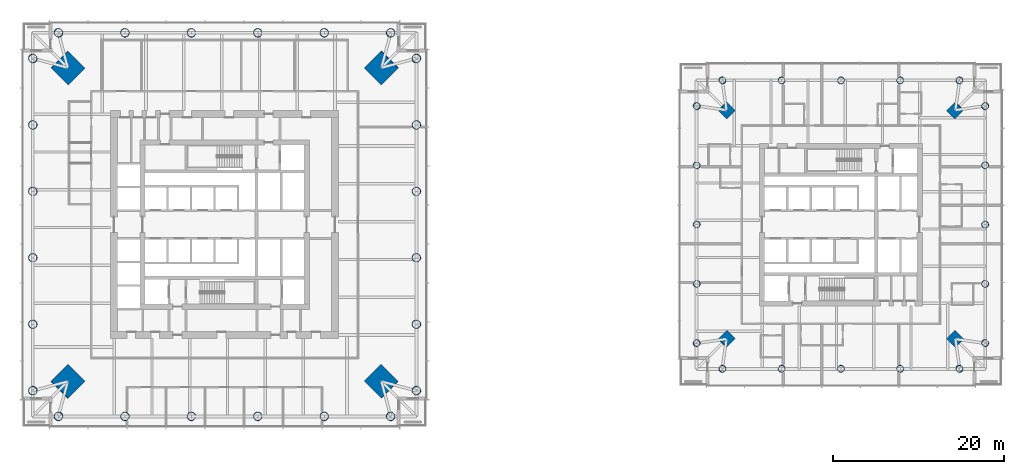
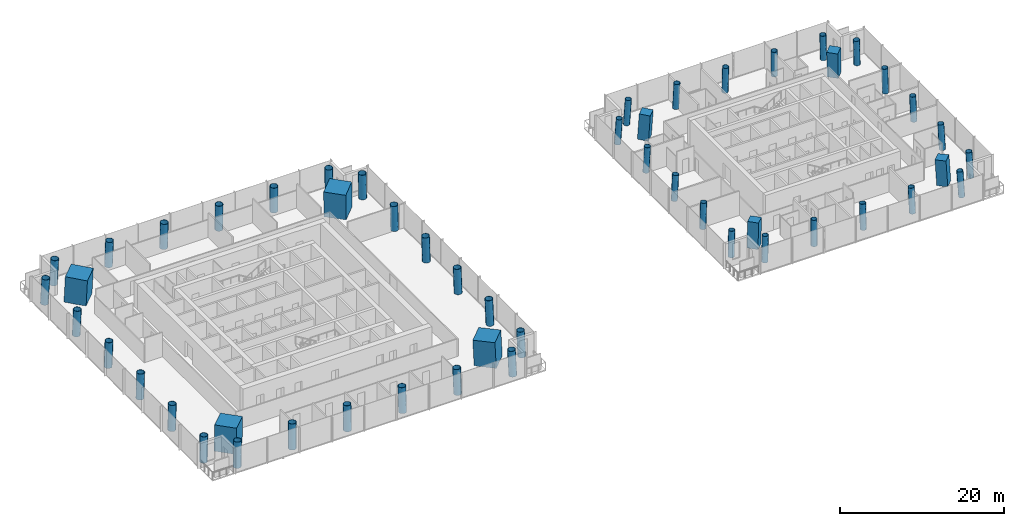
# One storey, part 1 of 18: 52 columns.
"""IFC4 building model written with IfcOpenShell, lengths in metres."""

from ifc_helpers import new_model, si_unit, direction, frame, origin, origin_2d, place, context, subcontext, project, spatial, rectangle, hollow_circle, extrude, material, material_profile, profile_set, type_object, element, save


model = new_model("IFC4")

# Units and contexts
model_context = context("Model", 3, precision=1e-05, world=origin(), true_north=direction((0.0, 1.0)))
body_context = subcontext(model_context, "Body", "Model", "MODEL_VIEW")
ifc_project = project(units=[si_unit("LENGTHUNIT", "METRE"), si_unit("AREAUNIT", "SQUARE_METRE"), si_unit("VOLUMEUNIT", "CUBIC_METRE"), si_unit("PLANEANGLEUNIT", "RADIAN"), si_unit("MASSUNIT", "GRAM", prefix="KILO")], contexts=[model_context])

# Site, building, storey
site_placement = place(None, origin())
site = spatial("IfcSite", under=ifc_project, at=site_placement, CompositionType="ELEMENT")
building_placement = place(site_placement, origin())
building = spatial("IfcBuilding", under=site, at=building_placement, Name="Ostroluk Exchange", CompositionType="ELEMENT")
storey_placement = place(building_placement, frame((0.0, 0.0, 70.39990234375)))
storey = spatial("IfcBuildingStorey", under=building, at=storey_placement, Name="L17", CompositionType="ELEMENT", Elevation=70.39990234375)

# Columns
ifc_material_1 = material(Name="Concrete C50/60", Category="concrete")
ifc_material_profile_1 = material_profile(ifc_material_1, rectangle(XDim=1.39990234375, YDim=1.39990234375, at=origin_2d()), Name="RC 1400x1400")
ifc_profile_set_1 = profile_set([ifc_material_profile_1], Name="Concrete C50/60")
column_type_1 = type_object("IfcColumnType", Name="Mega column RC 1400x1400", PredefinedType="COLUMN", material=ifc_profile_set_1)
for number, where, z_axis, x_axis, name in (
    (1, (130.37060546875, 59.37060546875, 0.0), (-0.043029647111, -0.043029647111, 0.998146732169), (0.707106781187, -0.707106781187, 0.0), "T2 mega column NE"),
    (2, (103.62939453125, 59.37060546875, 0.0), (0.043029647111, -0.043029647111, 0.998146732169), (0.707106781187, 0.707106781187, 0.0), "T2 mega column NW"),
    (3, (103.62939453125, 32.62939453125, 0.0), (0.043029647111, 0.043029647111, 0.998146732169), (-0.707106781187, 0.707106781187, 0.0), "T2 mega column SW"),
    (4, (130.37060546875, 32.62939453125, 0.0), (-0.043029647111, 0.043029647111, 0.998146732169), (-0.707106781187, -0.707106781187, 0.0), "T2 mega column SE"),
):
    element("IfcColumn", number, at=place(storey_placement, frame(where, z_axis=z_axis, x_axis=x_axis)), inside=storey, type_object=column_type_1, Name=name, PredefinedType="COLUMN", context=body_context, shape_type="SweptSolid", body=[
        extrude(rectangle(XDim=1.39990234375, YDim=1.39990234375, at=origin_2d()), origin(), (0.0, 0.0, 1.0), 3.80712890625),
    ])
ifc_material_2 = material(Name="Concrete C50/60", Category="concrete")
ifc_material_profile_2 = material_profile(ifc_material_2, rectangle(XDim=2.800048828125, YDim=2.800048828125, at=origin_2d()), Name="RC 2800x2800")
ifc_profile_set_2 = profile_set([ifc_material_profile_2], Name="Concrete C50/60")
column_type_2 = type_object("IfcColumnType", Name="Mega column RC 2800x2800", PredefinedType="COLUMN", material=ifc_profile_set_2)
for number, where, z_axis, x_axis, name in (
    (5, (63.321533203125, 64.321533203125, 0.0), (-0.031962158256, -0.031962158256, 0.998977898093), (0.707106781187, -0.707106781187, 0.0), "T1 mega column NE"),
    (6, (26.678466796875, 64.321533203125, 0.0), (0.031962158256, -0.031962158256, 0.998977898093), (0.707106781187, 0.707106781187, 0.0), "T1 mega column NW"),
    (7, (26.678466796875, 27.678466796875, 0.0), (0.031962158256, 0.031962158256, 0.998977898093), (-0.707106781187, 0.707106781187, 0.0), "T1 mega column SW"),
    (8, (63.321533203125, 27.678466796875, 0.0), (-0.031962158256, 0.031962158256, 0.998977898093), (-0.707106781187, -0.707106781187, 0.0), "T1 mega column SE"),
):
    element("IfcColumn", number, at=place(storey_placement, frame(where, z_axis=z_axis, x_axis=x_axis)), inside=storey, type_object=column_type_2, Name=name, PredefinedType="COLUMN", context=body_context, shape_type="SweptSolid", body=[
        extrude(rectangle(XDim=2.800048828125, YDim=2.800048828125, at=origin_2d()), origin(), (0.0, 0.0, 1.0), 3.803955078125),
    ])
ifc_material_3 = material(Name="Steel S460", Category="steel")
ifc_material_profile_3 = material_profile(ifc_material_3, hollow_circle(Radius=0.508056640625, WallThickness=0.0400390625, at=origin_2d()), Name="CHS 1016x40")
ifc_profile_set_3 = profile_set([ifc_material_profile_3], Name="Steel S460")
column_type_3 = type_object("IfcColumnType", Name="Perimeter column CHS 1016x40", PredefinedType="COLUMN", material=ifc_profile_set_3)
for number, where, z_axis, x_axis, name in (
    (9, (67.42138671875, 26.57861328125, 0.0), (-0.031898107953, 0.031898107953, 0.998981992539), (-0.707106781187, -0.707106781187, 0.0), "T1 east face column E0"),
    (10, (67.42138671875, 65.42138671875, 0.0), (-0.031898107953, -0.031898107953, 0.998981992539), (0.707106781187, -0.707106781187, 0.0), "T1 east face column E1"),
):
    element("IfcColumn", number, at=place(storey_placement, frame(where, z_axis=z_axis, x_axis=x_axis)), inside=storey, type_object=column_type_3, Name=name, PredefinedType="COLUMN", context=body_context, shape_type="SweptSolid", body=[
        extrude(hollow_circle(Radius=0.508056640625, WallThickness=0.0400390625, at=origin_2d()), origin(), (0.0, 0.0, 1.0), 3.803955078125),
    ])
column_1_placement = place(storey_placement, frame((67.42138671875, 34.34716796875, 0.0), z_axis=(-0.031908506785, 0.019132263625, 0.999307662176), x_axis=(-0.514241961696, -0.857645150882, 0.0)))
element("IfcColumn", 11, at=column_1_placement, inside=storey, type_object=column_type_3, Name="T1 east face column I1", PredefinedType="COLUMN", context=body_context, shape_type="SweptSolid", body=[
    extrude(hollow_circle(Radius=0.508056640625, WallThickness=0.0400390625, at=origin_2d()), origin(), (0.0, 0.0, 1.0), 3.802734375),
])
for number, where, z_axis, x_axis, name in (
    (12, (67.42138671875, 42.11572265625, 0.0), (-0.031913703469, 0.006357055621, 0.999470411455), (-0.195357113251, -0.980732174603, 0.0), "T1 east face column I2"),
    (13, (67.42138671875, 49.88427734375, 0.0), (-0.031913703469, -0.006357055621, 0.999470411455), (0.195357113251, -0.980732174603, 0.0), "T1 east face column I3"),
):
    element("IfcColumn", number, at=place(storey_placement, frame(where, z_axis=z_axis, x_axis=x_axis)), inside=storey, type_object=column_type_3, Name=name, PredefinedType="COLUMN", context=body_context, shape_type="SweptSolid", body=[
        extrude(hollow_circle(Radius=0.508056640625, WallThickness=0.0400390625, at=origin_2d()), origin(), (0.0, 0.0, 1.0), 3.802001953125),
    ])
column_2_placement = place(storey_placement, frame((67.42138671875, 57.65283203125, 0.0), z_axis=(-0.031908506785, -0.019132263625, 0.999307662176), x_axis=(0.514241961696, -0.857645150882, 0.0)))
element("IfcColumn", 14, at=column_2_placement, inside=storey, type_object=column_type_3, Name="T1 east face column I4", PredefinedType="COLUMN", context=body_context, shape_type="SweptSolid", body=[
    extrude(hollow_circle(Radius=0.508056640625, WallThickness=0.0400390625, at=origin_2d()), origin(), (0.0, 0.0, 1.0), 3.802734375),
])
for number, where, z_axis, x_axis, name in (
    (15, (64.42138671875, 68.42138671875, 0.0), (-0.031898107953, -0.031898107953, 0.998981992539), (0.707106781187, -0.707106781187, 0.0), "T1 north face column E0"),
    (16, (25.57861328125, 68.42138671875, 0.0), (0.031898107953, -0.031898107953, 0.998981992539), (0.707106781187, 0.707106781187, 0.0), "T1 north face column E1"),
):
    element("IfcColumn", number, at=place(storey_placement, frame(where, z_axis=z_axis, x_axis=x_axis)), inside=storey, type_object=column_type_3, Name=name, PredefinedType="COLUMN", context=body_context, shape_type="SweptSolid", body=[
        extrude(hollow_circle(Radius=0.508056640625, WallThickness=0.0400390625, at=origin_2d()), origin(), (0.0, 0.0, 1.0), 3.803955078125),
    ])
column_3_placement = place(storey_placement, frame((56.65283203125, 68.42138671875, 0.0), z_axis=(-0.019132263625, -0.031908506785, 0.999307662176), x_axis=(0.857645150882, -0.514241961696, 0.0)))
element("IfcColumn", 17, at=column_3_placement, inside=storey, type_object=column_type_3, Name="T1 north face column I1", PredefinedType="COLUMN", context=body_context, shape_type="SweptSolid", body=[
    extrude(hollow_circle(Radius=0.508056640625, WallThickness=0.0400390625, at=origin_2d()), origin(), (0.0, 0.0, 1.0), 3.802734375),
])
for number, where, z_axis, x_axis, name in (
    (18, (48.88427734375, 68.42138671875, 0.0), (-0.006357055621, -0.031913703469, 0.999470411455), (0.980732174603, -0.195357113251, 0.0), "T1 north face column I2"),
    (19, (41.11572265625, 68.42138671875, 0.0), (0.006357055621, -0.031913703469, 0.999470411455), (0.980732174603, 0.195357113251, 0.0), "T1 north face column I3"),
):
    element("IfcColumn", number, at=place(storey_placement, frame(where, z_axis=z_axis, x_axis=x_axis)), inside=storey, type_object=column_type_3, Name=name, PredefinedType="COLUMN", context=body_context, shape_type="SweptSolid", body=[
        extrude(hollow_circle(Radius=0.508056640625, WallThickness=0.0400390625, at=origin_2d()), origin(), (0.0, 0.0, 1.0), 3.802001953125),
    ])
column_4_placement = place(storey_placement, frame((33.34716796875, 68.42138671875, 0.0), z_axis=(0.019132263625, -0.031908506785, 0.999307662176), x_axis=(0.857645150882, 0.514241961696, 0.0)))
element("IfcColumn", 20, at=column_4_placement, inside=storey, type_object=column_type_3, Name="T1 north face column I4", PredefinedType="COLUMN", context=body_context, shape_type="SweptSolid", body=[
    extrude(hollow_circle(Radius=0.508056640625, WallThickness=0.0400390625, at=origin_2d()), origin(), (0.0, 0.0, 1.0), 3.802734375),
])
for number, where, z_axis, x_axis, name in (
    (21, (22.57861328125, 65.42138671875, 0.0), (0.031898107953, -0.031898107953, 0.998981992539), (0.707106781187, 0.707106781187, 0.0), "T1 west face column E0"),
    (22, (22.57861328125, 26.57861328125, 0.0), (0.031898107953, 0.031898107953, 0.998981992539), (-0.707106781187, 0.707106781187, 0.0), "T1 west face column E1"),
):
    element("IfcColumn", number, at=place(storey_placement, frame(where, z_axis=z_axis, x_axis=x_axis)), inside=storey, type_object=column_type_3, Name=name, PredefinedType="COLUMN", context=body_context, shape_type="SweptSolid", body=[
        extrude(hollow_circle(Radius=0.508056640625, WallThickness=0.0400390625, at=origin_2d()), origin(), (0.0, 0.0, 1.0), 3.803955078125),
    ])
column_5_placement = place(storey_placement, frame((22.57861328125, 57.65283203125, 0.0), z_axis=(0.031908506785, -0.019132263625, 0.999307662176), x_axis=(0.514241961696, 0.857645150882, 0.0)))
element("IfcColumn", 23, at=column_5_placement, inside=storey, type_object=column_type_3, Name="T1 west face column I1", PredefinedType="COLUMN", context=body_context, shape_type="SweptSolid", body=[
    extrude(hollow_circle(Radius=0.508056640625, WallThickness=0.0400390625, at=origin_2d()), origin(), (0.0, 0.0, 1.0), 3.802734375),
])
for number, where, z_axis, x_axis, name in (
    (24, (22.57861328125, 49.88427734375, 0.0), (0.031913703469, -0.006357055621, 0.999470411455), (0.195357113251, 0.980732174603, 0.0), "T1 west face column I2"),
    (25, (22.57861328125, 42.11572265625, 0.0), (0.031913703469, 0.006357055621, 0.999470411455), (-0.195357113251, 0.980732174603, 0.0), "T1 west face column I3"),
):
    element("IfcColumn", number, at=place(storey_placement, frame(where, z_axis=z_axis, x_axis=x_axis)), inside=storey, type_object=column_type_3, Name=name, PredefinedType="COLUMN", context=body_context, shape_type="SweptSolid", body=[
        extrude(hollow_circle(Radius=0.508056640625, WallThickness=0.0400390625, at=origin_2d()), origin(), (0.0, 0.0, 1.0), 3.802001953125),
    ])
column_6_placement = place(storey_placement, frame((22.57861328125, 34.34716796875, 0.0), z_axis=(0.031908506785, 0.019132263625, 0.999307662176), x_axis=(-0.514241961696, 0.857645150882, 0.0)))
element("IfcColumn", 26, at=column_6_placement, inside=storey, type_object=column_type_3, Name="T1 west face column I4", PredefinedType="COLUMN", context=body_context, shape_type="SweptSolid", body=[
    extrude(hollow_circle(Radius=0.508056640625, WallThickness=0.0400390625, at=origin_2d()), origin(), (0.0, 0.0, 1.0), 3.802734375),
])
for number, where, z_axis, x_axis, name in (
    (27, (25.57861328125, 23.57861328125, 0.0), (0.031898107953, 0.031898107953, 0.998981992539), (-0.707106781187, 0.707106781187, 0.0), "T1 south face column E0"),
    (28, (64.42138671875, 23.57861328125, 0.0), (-0.031898107953, 0.031898107953, 0.998981992539), (-0.707106781187, -0.707106781187, 0.0), "T1 south face column E1"),
):
    element("IfcColumn", number, at=place(storey_placement, frame(where, z_axis=z_axis, x_axis=x_axis)), inside=storey, type_object=column_type_3, Name=name, PredefinedType="COLUMN", context=body_context, shape_type="SweptSolid", body=[
        extrude(hollow_circle(Radius=0.508056640625, WallThickness=0.0400390625, at=origin_2d()), origin(), (0.0, 0.0, 1.0), 3.803955078125),
    ])
column_7_placement = place(storey_placement, frame((33.34716796875, 23.57861328125, 0.0), z_axis=(0.019132263625, 0.031908506785, 0.999307662176), x_axis=(-0.857645150882, 0.514241961696, 0.0)))
element("IfcColumn", 29, at=column_7_placement, inside=storey, type_object=column_type_3, Name="T1 south face column I1", PredefinedType="COLUMN", context=body_context, shape_type="SweptSolid", body=[
    extrude(hollow_circle(Radius=0.508056640625, WallThickness=0.0400390625, at=origin_2d()), origin(), (0.0, 0.0, 1.0), 3.802734375),
])
for number, where, z_axis, x_axis, name in (
    (30, (41.11572265625, 23.57861328125, 0.0), (0.006357055621, 0.031913703469, 0.999470411455), (-0.980732174603, 0.195357113251, 0.0), "T1 south face column I2"),
    (31, (48.88427734375, 23.57861328125, 0.0), (-0.006357055621, 0.031913703469, 0.999470411455), (-0.980732174603, -0.195357113251, 0.0), "T1 south face column I3"),
):
    element("IfcColumn", number, at=place(storey_placement, frame(where, z_axis=z_axis, x_axis=x_axis)), inside=storey, type_object=column_type_3, Name=name, PredefinedType="COLUMN", context=body_context, shape_type="SweptSolid", body=[
        extrude(hollow_circle(Radius=0.508056640625, WallThickness=0.0400390625, at=origin_2d()), origin(), (0.0, 0.0, 1.0), 3.802001953125),
    ])
column_8_placement = place(storey_placement, frame((56.65283203125, 23.57861328125, 0.0), z_axis=(-0.019132263625, 0.031908506785, 0.999307662176), x_axis=(-0.857645150882, -0.514241961696, 0.0)))
element("IfcColumn", 32, at=column_8_placement, inside=storey, type_object=column_type_3, Name="T1 south face column I4", PredefinedType="COLUMN", context=body_context, shape_type="SweptSolid", body=[
    extrude(hollow_circle(Radius=0.508056640625, WallThickness=0.0400390625, at=origin_2d()), origin(), (0.0, 0.0, 1.0), 3.802734375),
])
ifc_material_4 = material(Name="Steel S460", Category="steel")
ifc_material_profile_4 = material_profile(ifc_material_4, hollow_circle(Radius=0.406494140625, WallThickness=0.030029296875, at=origin_2d()), Name="CHS 813x30")
ifc_profile_set_4 = profile_set([ifc_material_profile_4], Name="Steel S460")
column_type_4 = type_object("IfcColumnType", Name="Perimeter column CHS 813x30", PredefinedType="COLUMN", material=ifc_profile_set_4)
for number, where, z_axis, x_axis, name in (
    (33, (133.87060546875, 32.12939453125, 0.0), (-0.043029647111, 0.043029647111, 0.998146732169), (-0.707106781187, -0.707106781187, 0.0), "T2 east face column E0"),
    (34, (133.87060546875, 59.87060546875, 0.0), (-0.043029647111, -0.043029647111, 0.998146732169), (0.707106781187, -0.707106781187, 0.0), "T2 east face column E1"),
):
    element("IfcColumn", number, at=place(storey_placement, frame(where, z_axis=z_axis, x_axis=x_axis)), inside=storey, type_object=column_type_4, Name=name, PredefinedType="COLUMN", context=body_context, shape_type="SweptSolid", body=[
        extrude(hollow_circle(Radius=0.406494140625, WallThickness=0.030029296875, at=origin_2d()), origin(), (0.0, 0.0, 1.0), 3.80712890625),
    ])
column_9_placement = place(storey_placement, frame((133.87060546875, 39.064697265625, 0.0), z_axis=(-0.043059584825, 0.021497706284, 0.998841188968), x_axis=(-0.446680166538, -0.894693706707, 0.0)))
element("IfcColumn", 35, at=column_9_placement, inside=storey, type_object=column_type_4, Name="T2 east face column I1", PredefinedType="COLUMN", context=body_context, shape_type="SweptSolid", body=[
    extrude(hollow_circle(Radius=0.406494140625, WallThickness=0.030029296875, at=origin_2d()), origin(), (0.0, 0.0, 1.0), 3.804443359375),
])
column_10_placement = place(storey_placement, frame((133.87060546875, 46.0, 0.0), z_axis=(-0.043069538298, 0.0, 0.999072076915), x_axis=(0.0, -1.0, 0.0)))
element("IfcColumn", 36, at=column_10_placement, inside=storey, type_object=column_type_4, Name="T2 east face column I2", PredefinedType="COLUMN", context=body_context, shape_type="SweptSolid", body=[
    extrude(hollow_circle(Radius=0.406494140625, WallThickness=0.030029296875, at=origin_2d()), origin(), (0.0, 0.0, 1.0), 3.803466796875),
])
column_11_placement = place(storey_placement, frame((133.87060546875, 52.935302734375, 0.0), z_axis=(-0.043059584825, -0.021497706284, 0.998841188968), x_axis=(0.446680166538, -0.894693706707, 0.0)))
element("IfcColumn", 37, at=column_11_placement, inside=storey, type_object=column_type_4, Name="T2 east face column I3", PredefinedType="COLUMN", context=body_context, shape_type="SweptSolid", body=[
    extrude(hollow_circle(Radius=0.406494140625, WallThickness=0.030029296875, at=origin_2d()), origin(), (0.0, 0.0, 1.0), 3.804443359375),
])
for number, where, z_axis, x_axis, name in (
    (38, (130.87060546875, 62.87060546875, 0.0), (-0.043029647111, -0.043029647111, 0.998146732169), (0.707106781187, -0.707106781187, 0.0), "T2 north face column E0"),
    (39, (103.12939453125, 62.87060546875, 0.0), (0.043029647111, -0.043029647111, 0.998146732169), (0.707106781187, 0.707106781187, 0.0), "T2 north face column E1"),
):
    element("IfcColumn", number, at=place(storey_placement, frame(where, z_axis=z_axis, x_axis=x_axis)), inside=storey, type_object=column_type_4, Name=name, PredefinedType="COLUMN", context=body_context, shape_type="SweptSolid", body=[
        extrude(hollow_circle(Radius=0.406494140625, WallThickness=0.030029296875, at=origin_2d()), origin(), (0.0, 0.0, 1.0), 3.80712890625),
    ])
column_12_placement = place(storey_placement, frame((123.935302734375, 62.87060546875, 0.0), z_axis=(-0.021497706284, -0.043059584825, 0.998841188968), x_axis=(0.894693706707, -0.446680166538, 0.0)))
element("IfcColumn", 40, at=column_12_placement, inside=storey, type_object=column_type_4, Name="T2 north face column I1", PredefinedType="COLUMN", context=body_context, shape_type="SweptSolid", body=[
    extrude(hollow_circle(Radius=0.406494140625, WallThickness=0.030029296875, at=origin_2d()), origin(), (0.0, 0.0, 1.0), 3.804443359375),
])
column_13_placement = place(storey_placement, frame((117.0, 62.87060546875, 0.0), z_axis=(0.0, -0.043069538298, 0.999072076915), x_axis=(1.0, 0.0, 0.0)))
element("IfcColumn", 41, at=column_13_placement, inside=storey, type_object=column_type_4, Name="T2 north face column I2", PredefinedType="COLUMN", context=body_context, shape_type="SweptSolid", body=[
    extrude(hollow_circle(Radius=0.406494140625, WallThickness=0.030029296875, at=origin_2d()), origin(), (0.0, 0.0, 1.0), 3.803466796875),
])
column_14_placement = place(storey_placement, frame((110.064697265625, 62.87060546875, 0.0), z_axis=(0.021497706284, -0.043059584825, 0.998841188968), x_axis=(0.894693706707, 0.446680166538, 0.0)))
element("IfcColumn", 42, at=column_14_placement, inside=storey, type_object=column_type_4, Name="T2 north face column I3", PredefinedType="COLUMN", context=body_context, shape_type="SweptSolid", body=[
    extrude(hollow_circle(Radius=0.406494140625, WallThickness=0.030029296875, at=origin_2d()), origin(), (0.0, 0.0, 1.0), 3.804443359375),
])
for number, where, z_axis, x_axis, name in (
    (43, (100.12939453125, 59.87060546875, 0.0), (0.043029647111, -0.043029647111, 0.998146732169), (0.707106781187, 0.707106781187, 0.0), "T2 west face column E0"),
    (44, (100.12939453125, 32.12939453125, 0.0), (0.043029647111, 0.043029647111, 0.998146732169), (-0.707106781187, 0.707106781187, 0.0), "T2 west face column E1"),
):
    element("IfcColumn", number, at=place(storey_placement, frame(where, z_axis=z_axis, x_axis=x_axis)), inside=storey, type_object=column_type_4, Name=name, PredefinedType="COLUMN", context=body_context, shape_type="SweptSolid", body=[
        extrude(hollow_circle(Radius=0.406494140625, WallThickness=0.030029296875, at=origin_2d()), origin(), (0.0, 0.0, 1.0), 3.80712890625),
    ])
column_15_placement = place(storey_placement, frame((100.12939453125, 52.935302734375, 0.0), z_axis=(0.043059584825, -0.021497706284, 0.998841188968), x_axis=(0.446680166538, 0.894693706707, 0.0)))
element("IfcColumn", 45, at=column_15_placement, inside=storey, type_object=column_type_4, Name="T2 west face column I1", PredefinedType="COLUMN", context=body_context, shape_type="SweptSolid", body=[
    extrude(hollow_circle(Radius=0.406494140625, WallThickness=0.030029296875, at=origin_2d()), origin(), (0.0, 0.0, 1.0), 3.804443359375),
])
column_16_placement = place(storey_placement, frame((100.12939453125, 46.0, 0.0), z_axis=(0.043069538298, 0.0, 0.999072076915), x_axis=(0.0, 1.0, 0.0)))
element("IfcColumn", 46, at=column_16_placement, inside=storey, type_object=column_type_4, Name="T2 west face column I2", PredefinedType="COLUMN", context=body_context, shape_type="SweptSolid", body=[
    extrude(hollow_circle(Radius=0.406494140625, WallThickness=0.030029296875, at=origin_2d()), origin(), (0.0, 0.0, 1.0), 3.803466796875),
])
column_17_placement = place(storey_placement, frame((100.12939453125, 39.064697265625, 0.0), z_axis=(0.043059584825, 0.021497706284, 0.998841188968), x_axis=(-0.446680166538, 0.894693706707, 0.0)))
element("IfcColumn", 47, at=column_17_placement, inside=storey, type_object=column_type_4, Name="T2 west face column I3", PredefinedType="COLUMN", context=body_context, shape_type="SweptSolid", body=[
    extrude(hollow_circle(Radius=0.406494140625, WallThickness=0.030029296875, at=origin_2d()), origin(), (0.0, 0.0, 1.0), 3.804443359375),
])
for number, where, z_axis, x_axis, name in (
    (48, (103.12939453125, 29.12939453125, 0.0), (0.043029647111, 0.043029647111, 0.998146732169), (-0.707106781187, 0.707106781187, 0.0), "T2 south face column E0"),
    (49, (130.87060546875, 29.12939453125, 0.0), (-0.043029647111, 0.043029647111, 0.998146732169), (-0.707106781187, -0.707106781187, 0.0), "T2 south face column E1"),
):
    element("IfcColumn", number, at=place(storey_placement, frame(where, z_axis=z_axis, x_axis=x_axis)), inside=storey, type_object=column_type_4, Name=name, PredefinedType="COLUMN", context=body_context, shape_type="SweptSolid", body=[
        extrude(hollow_circle(Radius=0.406494140625, WallThickness=0.030029296875, at=origin_2d()), origin(), (0.0, 0.0, 1.0), 3.80712890625),
    ])
column_18_placement = place(storey_placement, frame((110.064697265625, 29.12939453125, 0.0), z_axis=(0.021497706284, 0.043059584825, 0.998841188968), x_axis=(-0.894693706707, 0.446680166538, 0.0)))
element("IfcColumn", 50, at=column_18_placement, inside=storey, type_object=column_type_4, Name="T2 south face column I1", PredefinedType="COLUMN", context=body_context, shape_type="SweptSolid", body=[
    extrude(hollow_circle(Radius=0.406494140625, WallThickness=0.030029296875, at=origin_2d()), origin(), (0.0, 0.0, 1.0), 3.804443359375),
])
column_19_placement = place(storey_placement, frame((117.0, 29.12939453125, 0.0), z_axis=(0.0, 0.043069538298, 0.999072076915), x_axis=(-1.0, 0.0, 0.0)))
element("IfcColumn", 51, at=column_19_placement, inside=storey, type_object=column_type_4, Name="T2 south face column I2", PredefinedType="COLUMN", context=body_context, shape_type="SweptSolid", body=[
    extrude(hollow_circle(Radius=0.406494140625, WallThickness=0.030029296875, at=origin_2d()), origin(), (0.0, 0.0, 1.0), 3.803466796875),
])
column_20_placement = place(storey_placement, frame((123.935302734375, 29.12939453125, 0.0), z_axis=(-0.021497706284, 0.043059584825, 0.998841188968), x_axis=(-0.894693706707, -0.446680166538, 0.0)))
element("IfcColumn", 52, at=column_20_placement, inside=storey, type_object=column_type_4, Name="T2 south face column I3", PredefinedType="COLUMN", context=body_context, shape_type="SweptSolid", body=[
    extrude(hollow_circle(Radius=0.406494140625, WallThickness=0.030029296875, at=origin_2d()), origin(), (0.0, 0.0, 1.0), 3.804443359375),
])

save(model, "model.ifc")
